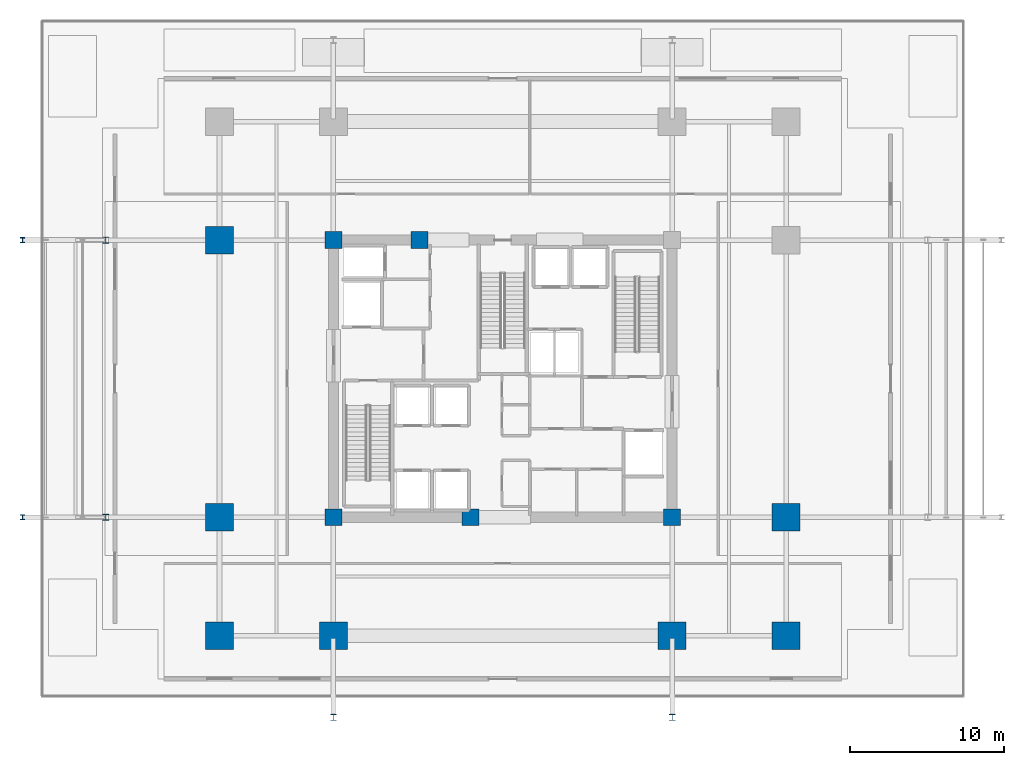
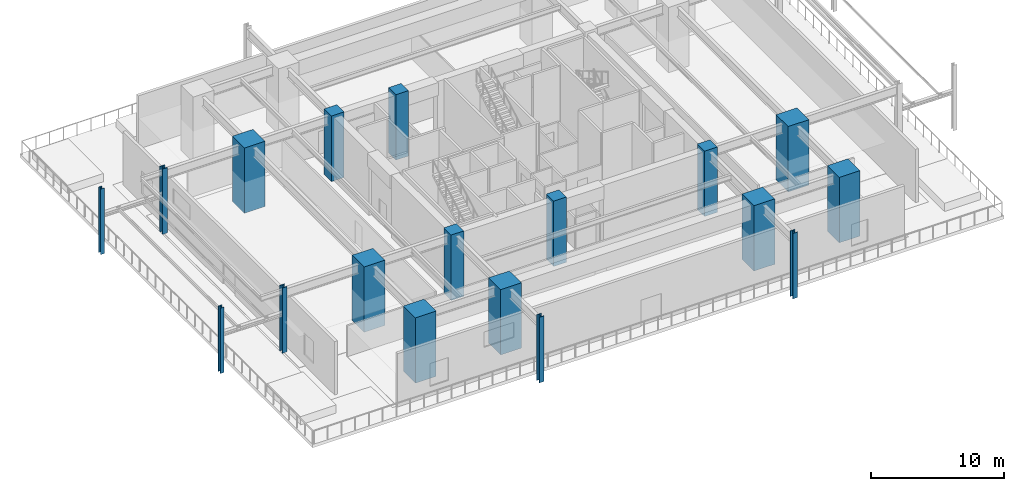
# One storey, part 1 of 14: 18 columns.
"""IFC4 building model written with IfcOpenShell, lengths in metres."""

from ifc_helpers import new_model, si_unit, direction, frame, origin, origin_2d, place, context, subcontext, project, spatial, rectangle, i_section, extrude, material, material_profile, profile_set, type_object, element, save


model = new_model("IFC4")

# Units and contexts
model_context = context("Model", 3, precision=1e-05, world=origin(), true_north=direction((0.0, 1.0)))
body_context = subcontext(model_context, "Body", "Model", "MODEL_VIEW")
ifc_project = project(units=[si_unit("LENGTHUNIT", "METRE"), si_unit("AREAUNIT", "SQUARE_METRE"), si_unit("VOLUMEUNIT", "CUBIC_METRE"), si_unit("PLANEANGLEUNIT", "RADIAN"), si_unit("MASSUNIT", "GRAM", prefix="KILO")], contexts=[model_context])

# Site, building, storey
site_placement = place(None, origin())
site = spatial("IfcSite", under=ifc_project, at=site_placement, CompositionType="ELEMENT")
building_placement = place(site_placement, origin())
building = spatial("IfcBuilding", under=site, at=building_placement, Name="Kovane Verandah Tower", CompositionType="ELEMENT")
storey_placement = place(building_placement, frame((0.0, 0.0, 21.60009765625)))
storey = spatial("IfcBuildingStorey", under=building, at=storey_placement, Name="L04", CompositionType="ELEMENT", Elevation=21.60009765625)

# Columns
ifc_material_1 = material(Name="Concrete C80/95", Category="concrete")
ifc_material_profile_1 = material_profile(ifc_material_1, rectangle(XDim=1.800048828125, YDim=1.800048828125, at=origin_2d()), Name="RC1800x1800")
ifc_profile_set_1 = profile_set([ifc_material_profile_1], Name="Concrete C80/95")
column_type_1 = type_object("IfcColumnType", Name="COL-RC1800", PredefinedType="COLUMN", material=ifc_profile_set_1)
for number, where, z_axis, x_axis, name in (
    (1, (29.0, 10.800048828125, 0.0), (0.0, 0.0, 1.0), (1.0, 0.0, 0.0), "L04 Tower Mega-Column MC-S1"),
    (2, (51.0, 10.800048828125, 0.0), (0.0, 0.0, 1.0), (1.0, 0.0, 0.0), "L04 Tower Mega-Column MC-S2"),
    (3, (21.60009765625, 18.5, 0.0), (0.0, 0.0, 1.0), (1.0, 0.0, 0.0), "L04 Tower Mega-Column MC-W1"),
    (4, (21.60009765625, 36.5, 0.0), (0.0, 0.0, 1.0), (1.0, 0.0, 0.0), "L04 Tower Mega-Column MC-W2"),
    (5, (58.39990234375, 18.5, 0.0), (0.0, 0.0, 1.0), (1.0, 0.0, 0.0), "L04 Tower Mega-Column MC-E1"),
    (6, (21.60009765625, 10.800048828125, 0.0), (0.0, 0.0, 1.0), (1.0, 0.0, 0.0), "L04 Tower Mega-Column MC-SW"),
    (7, (58.39990234375, 10.800048828125, 0.0), (0.0, 0.0, 1.0), (1.0, 0.0, 0.0), "L04 Tower Mega-Column MC-SE"),
):
    element("IfcColumn", number, at=place(storey_placement, frame(where, z_axis=z_axis, x_axis=x_axis)), inside=storey, type_object=column_type_1, Name=name, PredefinedType="COLUMN", context=body_context, shape_type="SweptSolid", body=[
        extrude(rectangle(XDim=1.800048828125, YDim=1.800048828125, at=origin_2d()), origin(), (0.0, 0.0, 1.0), 6.0),
    ])
ifc_material_2 = material(Name="Steel S355", Category="steel")
ifc_material_profile_2 = material_profile(ifc_material_2, i_section(OverallWidth=0.318359375, OverallDepth=0.3525390625, WebThickness=0.02294921875, FlangeThickness=0.03759765625, FilletRadius=0.01513671875, at=origin_2d()), Name="UC305x305x240")
ifc_profile_set_2 = profile_set([ifc_material_profile_2], Name="Steel S355")
column_type_2 = type_object("IfcColumnType", Name="COL-UC240", PredefinedType="COLUMN", material=ifc_profile_set_2)
for number, where, z_axis, x_axis, name in (
    (8, (8.800048828125, 18.5, 0.0), (0.0, 0.0, 1.0), (1.0, 0.0, 0.0), "L04 Garden Pergola Column PC-MW2"),
    (9, (8.800048828125, 36.5, 0.0), (0.0, 0.0, 1.0), (1.0, 0.0, 0.0), "L04 Garden Pergola Column PC-MW3"),
):
    element("IfcColumn", number, at=place(storey_placement, frame(where, z_axis=z_axis, x_axis=x_axis)), inside=storey, type_object=column_type_2, Name=name, PredefinedType="COLUMN", context=body_context, shape_type="SweptSolid", body=[
        extrude(i_section(OverallWidth=0.318359375, OverallDepth=0.3525390625, WebThickness=0.02294921875, FlangeThickness=0.03759765625, FilletRadius=0.01513671875, at=origin_2d()), origin(), (0.0, 0.0, 1.0), 6.0),
    ])
ifc_material_3 = material(Name="Steel S460", Category="steel")
ifc_material_profile_3 = material_profile(ifc_material_3, i_section(OverallWidth=0.412109375, OverallDepth=0.4365234375, WebThickness=0.035888671875, FlangeThickness=0.05810546875, FilletRadius=0.01513671875, at=origin_2d()), Name="UC356x406x467")
ifc_profile_set_3 = profile_set([ifc_material_profile_3], Name="Steel S460")
column_type_3 = type_object("IfcColumnType", Name="COL-UC467", PredefinedType="COLUMN", material=ifc_profile_set_3)
for number, where, z_axis, x_axis, name in (
    (10, (14.199951171875, 18.5, 0.0), (0.0, 0.0, 1.0), (1.0, 0.0, 0.0), "L04 Verandah Perimeter Column VC-W1"),
    (11, (14.199951171875, 36.5, 0.0), (0.0, 0.0, 1.0), (1.0, 0.0, 0.0), "L04 Verandah Perimeter Column VC-W2"),
    (12, (29.0, 5.5, 0.0), (0.0, 0.0, 1.0), (1.0, 0.0, 0.0), "L04 Verandah Perimeter Column VC-S1"),
    (13, (51.0, 5.5, 0.0), (0.0, 0.0, 1.0), (1.0, 0.0, 0.0), "L04 Verandah Perimeter Column VC-S2"),
):
    element("IfcColumn", number, at=place(storey_placement, frame(where, z_axis=z_axis, x_axis=x_axis)), inside=storey, type_object=column_type_3, Name=name, PredefinedType="COLUMN", context=body_context, shape_type="SweptSolid", body=[
        extrude(i_section(OverallWidth=0.412109375, OverallDepth=0.4365234375, WebThickness=0.035888671875, FlangeThickness=0.05810546875, FilletRadius=0.01513671875, at=origin_2d()), origin(), (0.0, 0.0, 1.0), 6.0),
    ])
ifc_material_profile_4 = material_profile(ifc_material_1, rectangle(XDim=1.10009765625, YDim=1.10009765625, at=origin_2d()), Name="RC1100x1100")
ifc_profile_set_4 = profile_set([ifc_material_profile_4], Name="Concrete C80/95")
column_type_4 = type_object("IfcColumnType", Name="PIL-RC1100", PredefinedType="PILASTER", material=ifc_profile_set_4)
for number, where, z_axis, x_axis, name in (
    (14, (29.0, 18.5, 0.0), (0.0, 0.0, 1.0), (1.0, 0.0, 0.0), "L04 Core Pilaster CP-SW"),
    (15, (51.0, 18.5, 0.0), (0.0, 0.0, 1.0), (1.0, 0.0, 0.0), "L04 Core Pilaster CP-SE"),
    (16, (29.0, 36.5, 0.0), (0.0, 0.0, 1.0), (1.0, 0.0, 0.0), "L04 Core Pilaster CP-NW"),
    (17, (37.89990234375, 18.5, 0.0), (0.0, 0.0, 1.0), (1.0, 0.0, 0.0), "L04 Core Pilaster CP-S"),
    (18, (34.60009765625, 36.5, 0.0), (0.0, 0.0, 1.0), (1.0, 0.0, 0.0), "L04 Core Pilaster CP-N"),
):
    element("IfcColumn", number, at=place(storey_placement, frame(where, z_axis=z_axis, x_axis=x_axis)), inside=storey, type_object=column_type_4, Name=name, PredefinedType="PILASTER", context=body_context, shape_type="SweptSolid", body=[
        extrude(rectangle(XDim=1.10009765625, YDim=1.10009765625, at=origin_2d()), origin(), (0.0, 0.0, 1.0), 6.0),
    ])

save(model, "model.ifc")
